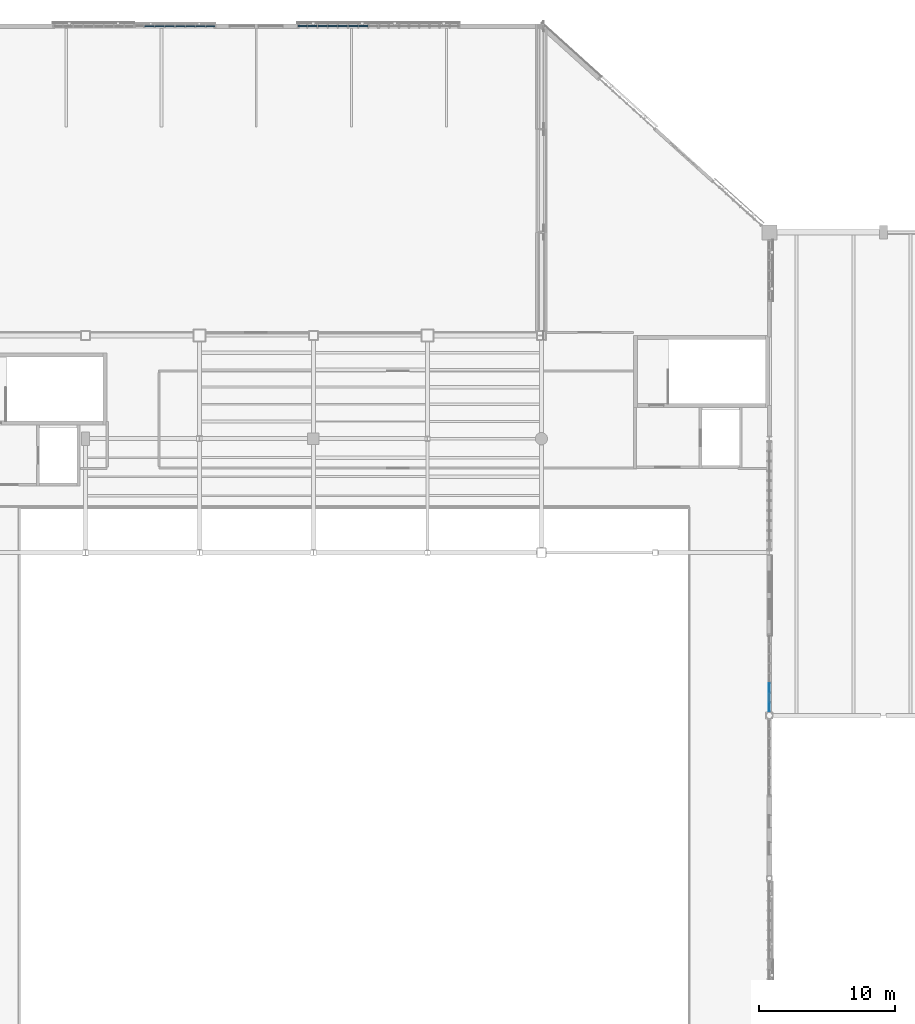
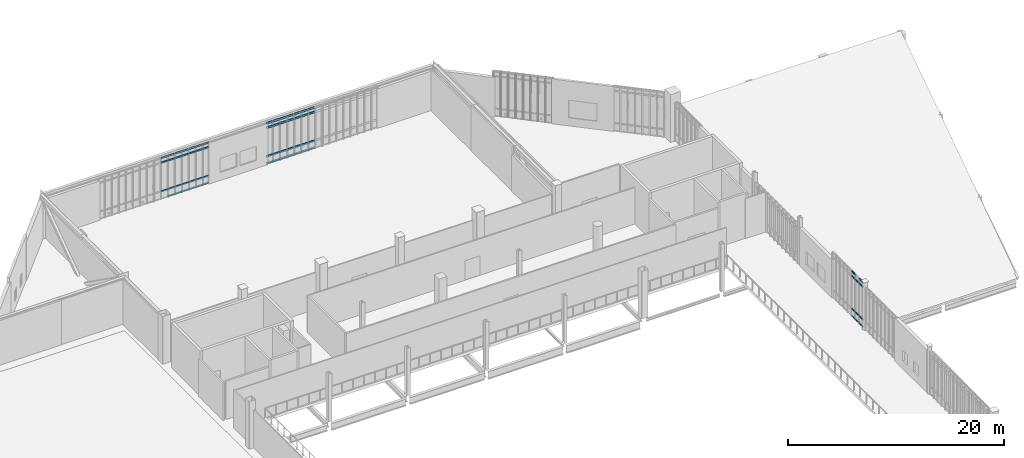
# One storey, part 57 of 135: 66 members, 3 elements without a shape of their own.
"""IFC4 building model written with IfcOpenShell, lengths in metres."""

from ifc_helpers import new_model, si_unit, direction, frame, origin, origin_2d, place, context, subcontext, project, spatial, rectangle, extrude, material, material_profile, profile_set, type_object, element, aggregate, save


model = new_model("IFC4")

# Units and contexts
model_context = context("Model", 3, precision=1e-05, world=origin(), true_north=direction((0.0, 1.0)))
body_context = subcontext(model_context, "Body", "Model", "MODEL_VIEW")
ifc_project = project(units=[si_unit("LENGTHUNIT", "METRE"), si_unit("AREAUNIT", "SQUARE_METRE"), si_unit("VOLUMEUNIT", "CUBIC_METRE"), si_unit("PLANEANGLEUNIT", "RADIAN"), si_unit("MASSUNIT", "GRAM", prefix="KILO")], contexts=[model_context])

# Site, building, storey
site_placement = place(None, origin())
site = spatial("IfcSite", under=ifc_project, at=site_placement, CompositionType="ELEMENT")
building_placement = place(site_placement, origin())
building = spatial("IfcBuilding", under=site, at=building_placement, Name="Larkvane Passage Sports Hall", CompositionType="ELEMENT")
storey_placement = place(building_placement, frame((0.0, 0.0, 16.800048828125)))
storey = spatial("IfcBuildingStorey", under=building, at=storey_placement, Name="L03", CompositionType="ELEMENT", Elevation=16.800048828125)

# Curtain wall, members
ifc_material_1 = material(Name="Thermally broken aluminium and low-E glazing", Category="aluminium")
curtain_wall_type_1 = type_object("IfcCurtainWallType", Name="CW-UNIT-COURT", PredefinedType="USERDEFINED", material=ifc_material_1)
curtain_wall_1_placement = place(storey_placement, origin())
curtain_wall_1 = element("IfcCurtainWall", 1, at=curtain_wall_1_placement, inside=storey, type_object=curtain_wall_type_1, Name="Curtain wall CW5-L03-144", ObjectType="UNITISED CURTAIN WALL", PredefinedType="USERDEFINED")
ifc_material_2 = material(Name="Anodised aluminium 6063-T6", Category="aluminium")
ifc_material_profile_1 = material_profile(ifc_material_2, rectangle(XDim=0.06494140625, YDim=0.139892578125, at=origin_2d()), Name="ALU-TRN-65x140")
ifc_profile_set_1 = profile_set([ifc_material_profile_1], Name="Anodised aluminium 6063-T6")
member_type_1 = type_object("IfcMemberType", Name="CW-TRN-65x140", PredefinedType="USERDEFINED", material=ifc_profile_set_1)
member_1_placement = place(storey_placement, frame((93.60009765625, 65.9736328125, 0.032470703125), z_axis=(0.0, -1.0, 0.0), x_axis=(1.0, 0.0, 0.0)))
member_1 = element("IfcMember", 2, at=member_1_placement, type_object=member_type_1, Name="CW-01 transom 6.1", ObjectType="TRANSOM", PredefinedType="USERDEFINED", context=body_context, shape_type="SweptSolid", body=[
    extrude(rectangle(XDim=0.06494140625, YDim=0.139892578125, at=origin_2d()), origin(), (0.0, 0.0, 1.0), 0.653564453125),
])
member_2_placement = place(storey_placement, frame((93.60009765625, 65.9736328125, 0.849853515625), z_axis=(0.0, -1.0, 0.0), x_axis=(1.0, 0.0, 0.0)))
member_2 = element("IfcMember", 3, at=member_2_placement, type_object=member_type_1, Name="CW-01 transom 6.2", ObjectType="TRANSOM", PredefinedType="USERDEFINED", context=body_context, shape_type="SweptSolid", body=[
    extrude(rectangle(XDim=0.06494140625, YDim=0.139892578125, at=origin_2d()), origin(), (0.0, 0.0, 1.0), 0.653564453125),
])
member_3_placement = place(storey_placement, frame((93.60009765625, 65.9736328125, 4.550048828125), z_axis=(0.0, -1.0, 0.0), x_axis=(1.0, 0.0, 0.0)))
member_3 = element("IfcMember", 4, at=member_3_placement, type_object=member_type_1, Name="CW-01 transom 6.3", ObjectType="TRANSOM", PredefinedType="USERDEFINED", context=body_context, shape_type="SweptSolid", body=[
    extrude(rectangle(XDim=0.06494140625, YDim=0.139892578125, at=origin_2d()), origin(), (0.0, 0.0, 1.0), 0.653564453125),
])
member_4_placement = place(storey_placement, frame((93.60009765625, 65.9736328125, 5.0673828125), z_axis=(0.0, -1.0, 0.0), x_axis=(1.0, 0.0, 0.0)))
member_4 = element("IfcMember", 5, at=member_4_placement, type_object=member_type_1, Name="CW-01 transom 6.4", ObjectType="TRANSOM", PredefinedType="USERDEFINED", context=body_context, shape_type="SweptSolid", body=[
    extrude(rectangle(XDim=0.06494140625, YDim=0.139892578125, at=origin_2d()), origin(), (0.0, 0.0, 1.0), 0.653564453125),
])
member_5_placement = place(storey_placement, frame((93.60009765625, 65.2548828125, 0.032470703125), z_axis=(0.0, -1.0, 0.0), x_axis=(1.0, 0.0, 0.0)))
member_5 = element("IfcMember", 6, at=member_5_placement, type_object=member_type_1, Name="CW-01 transom 7.1", ObjectType="TRANSOM", PredefinedType="USERDEFINED", context=body_context, shape_type="SweptSolid", body=[
    extrude(rectangle(XDim=0.06494140625, YDim=0.139892578125, at=origin_2d()), origin(), (0.0, 0.0, 1.0), 0.653564453125),
])
member_6_placement = place(storey_placement, frame((93.60009765625, 65.2548828125, 0.849853515625), z_axis=(0.0, -1.0, 0.0), x_axis=(1.0, 0.0, 0.0)))
member_6 = element("IfcMember", 7, at=member_6_placement, type_object=member_type_1, Name="CW-01 transom 7.2", ObjectType="TRANSOM", PredefinedType="USERDEFINED", context=body_context, shape_type="SweptSolid", body=[
    extrude(rectangle(XDim=0.06494140625, YDim=0.139892578125, at=origin_2d()), origin(), (0.0, 0.0, 1.0), 0.653564453125),
])
member_7_placement = place(storey_placement, frame((93.60009765625, 65.2548828125, 4.550048828125), z_axis=(0.0, -1.0, 0.0), x_axis=(1.0, 0.0, 0.0)))
member_7 = element("IfcMember", 8, at=member_7_placement, type_object=member_type_1, Name="CW-01 transom 7.3", ObjectType="TRANSOM", PredefinedType="USERDEFINED", context=body_context, shape_type="SweptSolid", body=[
    extrude(rectangle(XDim=0.06494140625, YDim=0.139892578125, at=origin_2d()), origin(), (0.0, 0.0, 1.0), 0.653564453125),
])
member_8_placement = place(storey_placement, frame((93.60009765625, 64.5361328125, 0.032470703125), z_axis=(0.0, -1.0, 0.0), x_axis=(1.0, 0.0, 0.0)))
member_8 = element("IfcMember", 9, at=member_8_placement, type_object=member_type_1, Name="CW-01 transom 8.1", ObjectType="TRANSOM", PredefinedType="USERDEFINED", context=body_context, shape_type="SweptSolid", body=[
    extrude(rectangle(XDim=0.06494140625, YDim=0.139892578125, at=origin_2d()), origin(), (0.0, 0.0, 1.0), 0.62109375),
])
member_9_placement = place(storey_placement, frame((93.60009765625, 64.5361328125, 0.849853515625), z_axis=(0.0, -1.0, 0.0), x_axis=(1.0, 0.0, 0.0)))
member_9 = element("IfcMember", 10, at=member_9_placement, type_object=member_type_1, Name="CW-01 transom 8.2", ObjectType="TRANSOM", PredefinedType="USERDEFINED", context=body_context, shape_type="SweptSolid", body=[
    extrude(rectangle(XDim=0.06494140625, YDim=0.139892578125, at=origin_2d()), origin(), (0.0, 0.0, 1.0), 0.62109375),
])
member_10_placement = place(storey_placement, frame((93.60009765625, 64.5361328125, 4.550048828125), z_axis=(0.0, -1.0, 0.0), x_axis=(1.0, 0.0, 0.0)))
member_10 = element("IfcMember", 11, at=member_10_placement, type_object=member_type_1, Name="CW-01 transom 8.3", ObjectType="TRANSOM", PredefinedType="USERDEFINED", context=body_context, shape_type="SweptSolid", body=[
    extrude(rectangle(XDim=0.06494140625, YDim=0.139892578125, at=origin_2d()), origin(), (0.0, 0.0, 1.0), 0.62109375),
])
member_11_placement = place(storey_placement, frame((93.60009765625, 64.5361328125, 5.0673828125), z_axis=(0.0, -1.0, 0.0), x_axis=(1.0, 0.0, 0.0)))
member_11 = element("IfcMember", 12, at=member_11_placement, type_object=member_type_1, Name="CW-01 transom 8.4", ObjectType="TRANSOM", PredefinedType="USERDEFINED", context=body_context, shape_type="SweptSolid", body=[
    extrude(rectangle(XDim=0.06494140625, YDim=0.139892578125, at=origin_2d()), origin(), (0.0, 0.0, 1.0), 0.62109375),
])
aggregate(curtain_wall_1, [member_1, member_2, member_3, member_4, member_5, member_6, member_7, member_8, member_9, member_10, member_11])

curtain_wall_type_2 = type_object("IfcCurtainWallType", Name="CW-UNIT-VEIL", PredefinedType="USERDEFINED", material=ifc_material_1)
curtain_wall_2_placement = place(storey_placement, origin())
curtain_wall_2 = element("IfcCurtainWall", 13, at=curtain_wall_2_placement, inside=storey, type_object=curtain_wall_type_2, Name="Curtain wall CW5-L03-137", ObjectType="UNITISED CURTAIN WALL", PredefinedType="USERDEFINED")
ifc_material_profile_2 = material_profile(ifc_material_2, rectangle(XDim=0.074951171875, YDim=0.18505859375, at=origin_2d()), Name="ALU-TRN-75x185")
ifc_profile_set_2 = profile_set([ifc_material_profile_2], Name="Anodised aluminium 6063-T6")
member_type_2 = type_object("IfcMemberType", Name="CW-TRN-75x185", PredefinedType="USERDEFINED", material=ifc_profile_set_2)
member_12_placement = place(storey_placement, frame((47.58740234375, 114.39990234375, 0.849853515625), z_axis=(1.0, 0.0, 0.0), x_axis=(0.0, 1.0, 0.0)))
member_12 = element("IfcMember", 14, at=member_12_placement, type_object=member_type_2, Name="CW-02 transom 2.2", ObjectType="TRANSOM", PredefinedType="USERDEFINED", context=body_context, shape_type="SweptSolid", body=[
    extrude(rectangle(XDim=0.074951171875, YDim=0.18505859375, at=origin_2d()), origin(), (0.0, 0.0, 1.0), 0.675048828125),
])
member_13_placement = place(storey_placement, frame((47.58740234375, 114.39990234375, 4.097900390625), z_axis=(1.0, 0.0, 0.0), x_axis=(0.0, 1.0, 0.0)))
member_13 = element("IfcMember", 15, at=member_13_placement, type_object=member_type_2, Name="CW-02 transom 2.3", ObjectType="TRANSOM", PredefinedType="USERDEFINED", context=body_context, shape_type="SweptSolid", body=[
    extrude(rectangle(XDim=0.074951171875, YDim=0.18505859375, at=origin_2d()), origin(), (0.0, 0.0, 1.0), 0.675048828125),
])
member_14_placement = place(storey_placement, frame((47.58740234375, 114.39990234375, 4.6103515625), z_axis=(1.0, 0.0, 0.0), x_axis=(0.0, 1.0, 0.0)))
member_14 = element("IfcMember", 16, at=member_14_placement, type_object=member_type_2, Name="CW-02 transom 2.4", ObjectType="TRANSOM", PredefinedType="USERDEFINED", context=body_context, shape_type="SweptSolid", body=[
    extrude(rectangle(XDim=0.074951171875, YDim=0.18505859375, at=origin_2d()), origin(), (0.0, 0.0, 1.0), 0.675048828125),
])
member_15_placement = place(storey_placement, frame((48.33740234375, 114.39990234375, 0.037353515625), z_axis=(1.0, 0.0, 0.0), x_axis=(0.0, 1.0, 0.0)))
member_15 = element("IfcMember", 17, at=member_15_placement, type_object=member_type_2, Name="CW-02 transom 3.1", ObjectType="TRANSOM", PredefinedType="USERDEFINED", context=body_context, shape_type="SweptSolid", body=[
    extrude(rectangle(XDim=0.074951171875, YDim=0.18505859375, at=origin_2d()), origin(), (0.0, 0.0, 1.0), 0.675048828125),
])
member_16_placement = place(storey_placement, frame((48.33740234375, 114.39990234375, 0.849853515625), z_axis=(1.0, 0.0, 0.0), x_axis=(0.0, 1.0, 0.0)))
member_16 = element("IfcMember", 18, at=member_16_placement, type_object=member_type_2, Name="CW-02 transom 3.2", ObjectType="TRANSOM", PredefinedType="USERDEFINED", context=body_context, shape_type="SweptSolid", body=[
    extrude(rectangle(XDim=0.074951171875, YDim=0.18505859375, at=origin_2d()), origin(), (0.0, 0.0, 1.0), 0.675048828125),
])
member_17_placement = place(storey_placement, frame((48.33740234375, 114.39990234375, 4.097900390625), z_axis=(1.0, 0.0, 0.0), x_axis=(0.0, 1.0, 0.0)))
member_17 = element("IfcMember", 19, at=member_17_placement, type_object=member_type_2, Name="CW-02 transom 3.3", ObjectType="TRANSOM", PredefinedType="USERDEFINED", context=body_context, shape_type="SweptSolid", body=[
    extrude(rectangle(XDim=0.074951171875, YDim=0.18505859375, at=origin_2d()), origin(), (0.0, 0.0, 1.0), 0.675048828125),
])
member_18_placement = place(storey_placement, frame((48.33740234375, 114.39990234375, 4.6103515625), z_axis=(1.0, 0.0, 0.0), x_axis=(0.0, 1.0, 0.0)))
member_18 = element("IfcMember", 20, at=member_18_placement, type_object=member_type_2, Name="CW-02 transom 3.4", ObjectType="TRANSOM", PredefinedType="USERDEFINED", context=body_context, shape_type="SweptSolid", body=[
    extrude(rectangle(XDim=0.074951171875, YDim=0.18505859375, at=origin_2d()), origin(), (0.0, 0.0, 1.0), 0.675048828125),
])
member_19_placement = place(storey_placement, frame((49.08740234375, 114.39990234375, 0.037353515625), z_axis=(1.0, 0.0, 0.0), x_axis=(0.0, 1.0, 0.0)))
member_19 = element("IfcMember", 21, at=member_19_placement, type_object=member_type_2, Name="CW-02 transom 4.1", ObjectType="TRANSOM", PredefinedType="USERDEFINED", context=body_context, shape_type="SweptSolid", body=[
    extrude(rectangle(XDim=0.074951171875, YDim=0.18505859375, at=origin_2d()), origin(), (0.0, 0.0, 1.0), 0.675048828125),
])
member_20_placement = place(storey_placement, frame((49.08740234375, 114.39990234375, 0.849853515625), z_axis=(1.0, 0.0, 0.0), x_axis=(0.0, 1.0, 0.0)))
member_20 = element("IfcMember", 22, at=member_20_placement, type_object=member_type_2, Name="CW-02 transom 4.2", ObjectType="TRANSOM", PredefinedType="USERDEFINED", context=body_context, shape_type="SweptSolid", body=[
    extrude(rectangle(XDim=0.074951171875, YDim=0.18505859375, at=origin_2d()), origin(), (0.0, 0.0, 1.0), 0.675048828125),
])
member_21_placement = place(storey_placement, frame((49.08740234375, 114.39990234375, 4.097900390625), z_axis=(1.0, 0.0, 0.0), x_axis=(0.0, 1.0, 0.0)))
member_21 = element("IfcMember", 23, at=member_21_placement, type_object=member_type_2, Name="CW-02 transom 4.3", ObjectType="TRANSOM", PredefinedType="USERDEFINED", context=body_context, shape_type="SweptSolid", body=[
    extrude(rectangle(XDim=0.074951171875, YDim=0.18505859375, at=origin_2d()), origin(), (0.0, 0.0, 1.0), 0.675048828125),
])
member_22_placement = place(storey_placement, frame((49.08740234375, 114.39990234375, 4.6103515625), z_axis=(1.0, 0.0, 0.0), x_axis=(0.0, 1.0, 0.0)))
member_22 = element("IfcMember", 24, at=member_22_placement, type_object=member_type_2, Name="CW-02 transom 4.4", ObjectType="TRANSOM", PredefinedType="USERDEFINED", context=body_context, shape_type="SweptSolid", body=[
    extrude(rectangle(XDim=0.074951171875, YDim=0.18505859375, at=origin_2d()), origin(), (0.0, 0.0, 1.0), 0.675048828125),
])
member_23_placement = place(storey_placement, frame((49.83740234375, 114.39990234375, 0.037353515625), z_axis=(1.0, 0.0, 0.0), x_axis=(0.0, 1.0, 0.0)))
member_23 = element("IfcMember", 25, at=member_23_placement, type_object=member_type_2, Name="CW-02 transom 5.1", ObjectType="TRANSOM", PredefinedType="USERDEFINED", context=body_context, shape_type="SweptSolid", body=[
    extrude(rectangle(XDim=0.074951171875, YDim=0.18505859375, at=origin_2d()), origin(), (0.0, 0.0, 1.0), 0.675048828125),
])
member_24_placement = place(storey_placement, frame((49.83740234375, 114.39990234375, 0.849853515625), z_axis=(1.0, 0.0, 0.0), x_axis=(0.0, 1.0, 0.0)))
member_24 = element("IfcMember", 26, at=member_24_placement, type_object=member_type_2, Name="CW-02 transom 5.2", ObjectType="TRANSOM", PredefinedType="USERDEFINED", context=body_context, shape_type="SweptSolid", body=[
    extrude(rectangle(XDim=0.074951171875, YDim=0.18505859375, at=origin_2d()), origin(), (0.0, 0.0, 1.0), 0.675048828125),
])
member_25_placement = place(storey_placement, frame((49.83740234375, 114.39990234375, 4.097900390625), z_axis=(1.0, 0.0, 0.0), x_axis=(0.0, 1.0, 0.0)))
member_25 = element("IfcMember", 27, at=member_25_placement, type_object=member_type_2, Name="CW-02 transom 5.3", ObjectType="TRANSOM", PredefinedType="USERDEFINED", context=body_context, shape_type="SweptSolid", body=[
    extrude(rectangle(XDim=0.074951171875, YDim=0.18505859375, at=origin_2d()), origin(), (0.0, 0.0, 1.0), 0.675048828125),
])
member_26_placement = place(storey_placement, frame((49.83740234375, 114.39990234375, 4.6103515625), z_axis=(1.0, 0.0, 0.0), x_axis=(0.0, 1.0, 0.0)))
member_26 = element("IfcMember", 28, at=member_26_placement, type_object=member_type_2, Name="CW-02 transom 5.4", ObjectType="TRANSOM", PredefinedType="USERDEFINED", context=body_context, shape_type="SweptSolid", body=[
    extrude(rectangle(XDim=0.074951171875, YDim=0.18505859375, at=origin_2d()), origin(), (0.0, 0.0, 1.0), 0.675048828125),
])
member_27_placement = place(storey_placement, frame((50.58740234375, 114.39990234375, 0.037353515625), z_axis=(1.0, 0.0, 0.0), x_axis=(0.0, 1.0, 0.0)))
member_27 = element("IfcMember", 29, at=member_27_placement, type_object=member_type_2, Name="CW-02 transom 6.1", ObjectType="TRANSOM", PredefinedType="USERDEFINED", context=body_context, shape_type="SweptSolid", body=[
    extrude(rectangle(XDim=0.074951171875, YDim=0.18505859375, at=origin_2d()), origin(), (0.0, 0.0, 1.0), 0.675048828125),
])
member_28_placement = place(storey_placement, frame((50.58740234375, 114.39990234375, 0.849853515625), z_axis=(1.0, 0.0, 0.0), x_axis=(0.0, 1.0, 0.0)))
member_28 = element("IfcMember", 30, at=member_28_placement, type_object=member_type_2, Name="CW-02 transom 6.2", ObjectType="TRANSOM", PredefinedType="USERDEFINED", context=body_context, shape_type="SweptSolid", body=[
    extrude(rectangle(XDim=0.074951171875, YDim=0.18505859375, at=origin_2d()), origin(), (0.0, 0.0, 1.0), 0.675048828125),
])
member_29_placement = place(storey_placement, frame((50.58740234375, 114.39990234375, 4.097900390625), z_axis=(1.0, 0.0, 0.0), x_axis=(0.0, 1.0, 0.0)))
member_29 = element("IfcMember", 31, at=member_29_placement, type_object=member_type_2, Name="CW-02 transom 6.3", ObjectType="TRANSOM", PredefinedType="USERDEFINED", context=body_context, shape_type="SweptSolid", body=[
    extrude(rectangle(XDim=0.074951171875, YDim=0.18505859375, at=origin_2d()), origin(), (0.0, 0.0, 1.0), 0.675048828125),
])
member_30_placement = place(storey_placement, frame((50.58740234375, 114.39990234375, 4.6103515625), z_axis=(1.0, 0.0, 0.0), x_axis=(0.0, 1.0, 0.0)))
member_30 = element("IfcMember", 32, at=member_30_placement, type_object=member_type_2, Name="CW-02 transom 6.4", ObjectType="TRANSOM", PredefinedType="USERDEFINED", context=body_context, shape_type="SweptSolid", body=[
    extrude(rectangle(XDim=0.074951171875, YDim=0.18505859375, at=origin_2d()), origin(), (0.0, 0.0, 1.0), 0.675048828125),
])
member_31_placement = place(storey_placement, frame((51.33740234375, 114.39990234375, 0.037353515625), z_axis=(1.0, 0.0, 0.0), x_axis=(0.0, 1.0, 0.0)))
member_31 = element("IfcMember", 33, at=member_31_placement, type_object=member_type_2, Name="CW-02 transom 7.1", ObjectType="TRANSOM", PredefinedType="USERDEFINED", context=body_context, shape_type="SweptSolid", body=[
    extrude(rectangle(XDim=0.074951171875, YDim=0.18505859375, at=origin_2d()), origin(), (0.0, 0.0, 1.0), 0.675048828125),
])
member_32_placement = place(storey_placement, frame((51.33740234375, 114.39990234375, 0.849853515625), z_axis=(1.0, 0.0, 0.0), x_axis=(0.0, 1.0, 0.0)))
member_32 = element("IfcMember", 34, at=member_32_placement, type_object=member_type_2, Name="CW-02 transom 7.2", ObjectType="TRANSOM", PredefinedType="USERDEFINED", context=body_context, shape_type="SweptSolid", body=[
    extrude(rectangle(XDim=0.074951171875, YDim=0.18505859375, at=origin_2d()), origin(), (0.0, 0.0, 1.0), 0.675048828125),
])
member_33_placement = place(storey_placement, frame((51.33740234375, 114.39990234375, 4.097900390625), z_axis=(1.0, 0.0, 0.0), x_axis=(0.0, 1.0, 0.0)))
member_33 = element("IfcMember", 35, at=member_33_placement, type_object=member_type_2, Name="CW-02 transom 7.3", ObjectType="TRANSOM", PredefinedType="USERDEFINED", context=body_context, shape_type="SweptSolid", body=[
    extrude(rectangle(XDim=0.074951171875, YDim=0.18505859375, at=origin_2d()), origin(), (0.0, 0.0, 1.0), 0.675048828125),
])
member_34_placement = place(storey_placement, frame((51.33740234375, 114.39990234375, 4.6103515625), z_axis=(1.0, 0.0, 0.0), x_axis=(0.0, 1.0, 0.0)))
member_34 = element("IfcMember", 36, at=member_34_placement, type_object=member_type_2, Name="CW-02 transom 7.4", ObjectType="TRANSOM", PredefinedType="USERDEFINED", context=body_context, shape_type="SweptSolid", body=[
    extrude(rectangle(XDim=0.074951171875, YDim=0.18505859375, at=origin_2d()), origin(), (0.0, 0.0, 1.0), 0.675048828125),
])
member_35_placement = place(storey_placement, frame((52.08740234375, 114.39990234375, 0.037353515625), z_axis=(1.0, 0.0, 0.0), x_axis=(0.0, 1.0, 0.0)))
member_35 = element("IfcMember", 37, at=member_35_placement, type_object=member_type_2, Name="CW-02 transom 8.1", ObjectType="TRANSOM", PredefinedType="USERDEFINED", context=body_context, shape_type="SweptSolid", body=[
    extrude(rectangle(XDim=0.074951171875, YDim=0.18505859375, at=origin_2d()), origin(), (0.0, 0.0, 1.0), 0.6376953125),
])
member_36_placement = place(storey_placement, frame((52.08740234375, 114.39990234375, 0.849853515625), z_axis=(1.0, 0.0, 0.0), x_axis=(0.0, 1.0, 0.0)))
member_36 = element("IfcMember", 38, at=member_36_placement, type_object=member_type_2, Name="CW-02 transom 8.2", ObjectType="TRANSOM", PredefinedType="USERDEFINED", context=body_context, shape_type="SweptSolid", body=[
    extrude(rectangle(XDim=0.074951171875, YDim=0.18505859375, at=origin_2d()), origin(), (0.0, 0.0, 1.0), 0.6376953125),
])
member_37_placement = place(storey_placement, frame((52.08740234375, 114.39990234375, 4.097900390625), z_axis=(1.0, 0.0, 0.0), x_axis=(0.0, 1.0, 0.0)))
member_37 = element("IfcMember", 39, at=member_37_placement, type_object=member_type_2, Name="CW-02 transom 8.3", ObjectType="TRANSOM", PredefinedType="USERDEFINED", context=body_context, shape_type="SweptSolid", body=[
    extrude(rectangle(XDim=0.074951171875, YDim=0.18505859375, at=origin_2d()), origin(), (0.0, 0.0, 1.0), 0.6376953125),
])
member_38_placement = place(storey_placement, frame((52.08740234375, 114.39990234375, 4.6103515625), z_axis=(1.0, 0.0, 0.0), x_axis=(0.0, 1.0, 0.0)))
member_38 = element("IfcMember", 40, at=member_38_placement, type_object=member_type_2, Name="CW-02 transom 8.4", ObjectType="TRANSOM", PredefinedType="USERDEFINED", context=body_context, shape_type="SweptSolid", body=[
    extrude(rectangle(XDim=0.074951171875, YDim=0.18505859375, at=origin_2d()), origin(), (0.0, 0.0, 1.0), 0.6376953125),
])
aggregate(curtain_wall_2, [member_12, member_13, member_14, member_15, member_16, member_17, member_18, member_19, member_20, member_21, member_22, member_23, member_24, member_25, member_26, member_27, member_28, member_29, member_30, member_31, member_32, member_33, member_34, member_35, member_36, member_37, member_38])

curtain_wall_type_3 = type_object("IfcCurtainWallType", Name="CW-STICK-FOYER", PredefinedType="USERDEFINED", material=ifc_material_1)
curtain_wall_3_placement = place(storey_placement, origin())
curtain_wall_3 = element("IfcCurtainWall", 41, at=curtain_wall_3_placement, inside=storey, type_object=curtain_wall_type_3, Name="Curtain wall CW5-L03-138", ObjectType="STICK CURTAIN WALL", PredefinedType="USERDEFINED")
ifc_material_profile_3 = material_profile(ifc_material_2, rectangle(XDim=0.090087890625, YDim=0.235107421875, at=origin_2d()), Name="ALU-TRN-90x235")
ifc_profile_set_3 = profile_set([ifc_material_profile_3], Name="Anodised aluminium 6063-T6")
member_type_3 = type_object("IfcMemberType", Name="CW-TRN-90x235", PredefinedType="USERDEFINED", material=ifc_profile_set_3)
member_39_placement = place(storey_placement, frame((58.889892578125, 114.39990234375, 0.044921875), z_axis=(1.0, 0.0, 0.0), x_axis=(0.0, 1.0, 0.0)))
member_39 = element("IfcMember", 42, at=member_39_placement, type_object=member_type_3, Name="CW-03 transom 1.1", ObjectType="TRANSOM", PredefinedType="USERDEFINED", context=body_context, shape_type="SweptSolid", body=[
    extrude(rectangle(XDim=0.090087890625, YDim=0.235107421875, at=origin_2d()), origin(), (0.0, 0.0, 1.0), 0.614990234375),
])
member_40_placement = place(storey_placement, frame((58.889892578125, 114.39990234375, 0.849853515625), z_axis=(1.0, 0.0, 0.0), x_axis=(0.0, 1.0, 0.0)))
member_40 = element("IfcMember", 43, at=member_40_placement, type_object=member_type_3, Name="CW-03 transom 1.2", ObjectType="TRANSOM", PredefinedType="USERDEFINED", context=body_context, shape_type="SweptSolid", body=[
    extrude(rectangle(XDim=0.090087890625, YDim=0.235107421875, at=origin_2d()), origin(), (0.0, 0.0, 1.0), 0.614990234375),
])
member_41_placement = place(storey_placement, frame((58.889892578125, 114.39990234375, 4.097900390625), z_axis=(1.0, 0.0, 0.0), x_axis=(0.0, 1.0, 0.0)))
member_41 = element("IfcMember", 44, at=member_41_placement, type_object=member_type_3, Name="CW-03 transom 1.3", ObjectType="TRANSOM", PredefinedType="USERDEFINED", context=body_context, shape_type="SweptSolid", body=[
    extrude(rectangle(XDim=0.090087890625, YDim=0.235107421875, at=origin_2d()), origin(), (0.0, 0.0, 1.0), 0.614990234375),
])
member_42_placement = place(storey_placement, frame((58.889892578125, 114.39990234375, 4.60302734375), z_axis=(1.0, 0.0, 0.0), x_axis=(0.0, 1.0, 0.0)))
member_42 = element("IfcMember", 45, at=member_42_placement, type_object=member_type_3, Name="CW-03 transom 1.4", ObjectType="TRANSOM", PredefinedType="USERDEFINED", context=body_context, shape_type="SweptSolid", body=[
    extrude(rectangle(XDim=0.090087890625, YDim=0.235107421875, at=origin_2d()), origin(), (0.0, 0.0, 1.0), 0.614990234375),
])
member_43_placement = place(storey_placement, frame((59.594970703125, 114.39990234375, 0.044921875), z_axis=(1.0, 0.0, 0.0), x_axis=(0.0, 1.0, 0.0)))
member_43 = element("IfcMember", 46, at=member_43_placement, type_object=member_type_3, Name="CW-03 transom 2.1", ObjectType="TRANSOM", PredefinedType="USERDEFINED", context=body_context, shape_type="SweptSolid", body=[
    extrude(rectangle(XDim=0.090087890625, YDim=0.235107421875, at=origin_2d()), origin(), (0.0, 0.0, 1.0), 0.659912109375),
])
member_44_placement = place(storey_placement, frame((59.594970703125, 114.39990234375, 0.849853515625), z_axis=(1.0, 0.0, 0.0), x_axis=(0.0, 1.0, 0.0)))
member_44 = element("IfcMember", 47, at=member_44_placement, type_object=member_type_3, Name="CW-03 transom 2.2", ObjectType="TRANSOM", PredefinedType="USERDEFINED", context=body_context, shape_type="SweptSolid", body=[
    extrude(rectangle(XDim=0.090087890625, YDim=0.235107421875, at=origin_2d()), origin(), (0.0, 0.0, 1.0), 0.659912109375),
])
member_45_placement = place(storey_placement, frame((59.594970703125, 114.39990234375, 4.097900390625), z_axis=(1.0, 0.0, 0.0), x_axis=(0.0, 1.0, 0.0)))
member_45 = element("IfcMember", 48, at=member_45_placement, type_object=member_type_3, Name="CW-03 transom 2.3", ObjectType="TRANSOM", PredefinedType="USERDEFINED", context=body_context, shape_type="SweptSolid", body=[
    extrude(rectangle(XDim=0.090087890625, YDim=0.235107421875, at=origin_2d()), origin(), (0.0, 0.0, 1.0), 0.659912109375),
])
member_46_placement = place(storey_placement, frame((59.594970703125, 114.39990234375, 4.60302734375), z_axis=(1.0, 0.0, 0.0), x_axis=(0.0, 1.0, 0.0)))
member_46 = element("IfcMember", 49, at=member_46_placement, type_object=member_type_3, Name="CW-03 transom 2.4", ObjectType="TRANSOM", PredefinedType="USERDEFINED", context=body_context, shape_type="SweptSolid", body=[
    extrude(rectangle(XDim=0.090087890625, YDim=0.235107421875, at=origin_2d()), origin(), (0.0, 0.0, 1.0), 0.659912109375),
])
member_47_placement = place(storey_placement, frame((60.344970703125, 114.39990234375, 0.044921875), z_axis=(1.0, 0.0, 0.0), x_axis=(0.0, 1.0, 0.0)))
member_47 = element("IfcMember", 50, at=member_47_placement, type_object=member_type_3, Name="CW-03 transom 3.1", ObjectType="TRANSOM", PredefinedType="USERDEFINED", context=body_context, shape_type="SweptSolid", body=[
    extrude(rectangle(XDim=0.090087890625, YDim=0.235107421875, at=origin_2d()), origin(), (0.0, 0.0, 1.0), 0.659912109375),
])
member_48_placement = place(storey_placement, frame((60.344970703125, 114.39990234375, 0.849853515625), z_axis=(1.0, 0.0, 0.0), x_axis=(0.0, 1.0, 0.0)))
member_48 = element("IfcMember", 51, at=member_48_placement, type_object=member_type_3, Name="CW-03 transom 3.2", ObjectType="TRANSOM", PredefinedType="USERDEFINED", context=body_context, shape_type="SweptSolid", body=[
    extrude(rectangle(XDim=0.090087890625, YDim=0.235107421875, at=origin_2d()), origin(), (0.0, 0.0, 1.0), 0.659912109375),
])
member_49_placement = place(storey_placement, frame((60.344970703125, 114.39990234375, 4.097900390625), z_axis=(1.0, 0.0, 0.0), x_axis=(0.0, 1.0, 0.0)))
member_49 = element("IfcMember", 52, at=member_49_placement, type_object=member_type_3, Name="CW-03 transom 3.3", ObjectType="TRANSOM", PredefinedType="USERDEFINED", context=body_context, shape_type="SweptSolid", body=[
    extrude(rectangle(XDim=0.090087890625, YDim=0.235107421875, at=origin_2d()), origin(), (0.0, 0.0, 1.0), 0.659912109375),
])
member_50_placement = place(storey_placement, frame((60.344970703125, 114.39990234375, 4.60302734375), z_axis=(1.0, 0.0, 0.0), x_axis=(0.0, 1.0, 0.0)))
member_50 = element("IfcMember", 53, at=member_50_placement, type_object=member_type_3, Name="CW-03 transom 3.4", ObjectType="TRANSOM", PredefinedType="USERDEFINED", context=body_context, shape_type="SweptSolid", body=[
    extrude(rectangle(XDim=0.090087890625, YDim=0.235107421875, at=origin_2d()), origin(), (0.0, 0.0, 1.0), 0.659912109375),
])
member_51_placement = place(storey_placement, frame((61.094970703125, 114.39990234375, 0.044921875), z_axis=(1.0, 0.0, 0.0), x_axis=(0.0, 1.0, 0.0)))
member_51 = element("IfcMember", 54, at=member_51_placement, type_object=member_type_3, Name="CW-03 transom 4.1", ObjectType="TRANSOM", PredefinedType="USERDEFINED", context=body_context, shape_type="SweptSolid", body=[
    extrude(rectangle(XDim=0.090087890625, YDim=0.235107421875, at=origin_2d()), origin(), (0.0, 0.0, 1.0), 0.659912109375),
])
member_52_placement = place(storey_placement, frame((61.094970703125, 114.39990234375, 0.849853515625), z_axis=(1.0, 0.0, 0.0), x_axis=(0.0, 1.0, 0.0)))
member_52 = element("IfcMember", 55, at=member_52_placement, type_object=member_type_3, Name="CW-03 transom 4.2", ObjectType="TRANSOM", PredefinedType="USERDEFINED", context=body_context, shape_type="SweptSolid", body=[
    extrude(rectangle(XDim=0.090087890625, YDim=0.235107421875, at=origin_2d()), origin(), (0.0, 0.0, 1.0), 0.659912109375),
])
member_53_placement = place(storey_placement, frame((61.094970703125, 114.39990234375, 4.097900390625), z_axis=(1.0, 0.0, 0.0), x_axis=(0.0, 1.0, 0.0)))
member_53 = element("IfcMember", 56, at=member_53_placement, type_object=member_type_3, Name="CW-03 transom 4.3", ObjectType="TRANSOM", PredefinedType="USERDEFINED", context=body_context, shape_type="SweptSolid", body=[
    extrude(rectangle(XDim=0.090087890625, YDim=0.235107421875, at=origin_2d()), origin(), (0.0, 0.0, 1.0), 0.659912109375),
])
member_54_placement = place(storey_placement, frame((61.094970703125, 114.39990234375, 4.60302734375), z_axis=(1.0, 0.0, 0.0), x_axis=(0.0, 1.0, 0.0)))
member_54 = element("IfcMember", 57, at=member_54_placement, type_object=member_type_3, Name="CW-03 transom 4.4", ObjectType="TRANSOM", PredefinedType="USERDEFINED", context=body_context, shape_type="SweptSolid", body=[
    extrude(rectangle(XDim=0.090087890625, YDim=0.235107421875, at=origin_2d()), origin(), (0.0, 0.0, 1.0), 0.659912109375),
])
member_55_placement = place(storey_placement, frame((61.844970703125, 114.39990234375, 0.044921875), z_axis=(1.0, 0.0, 0.0), x_axis=(0.0, 1.0, 0.0)))
member_55 = element("IfcMember", 58, at=member_55_placement, type_object=member_type_3, Name="CW-03 transom 5.1", ObjectType="TRANSOM", PredefinedType="USERDEFINED", context=body_context, shape_type="SweptSolid", body=[
    extrude(rectangle(XDim=0.090087890625, YDim=0.235107421875, at=origin_2d()), origin(), (0.0, 0.0, 1.0), 0.659912109375),
])
member_56_placement = place(storey_placement, frame((61.844970703125, 114.39990234375, 0.849853515625), z_axis=(1.0, 0.0, 0.0), x_axis=(0.0, 1.0, 0.0)))
member_56 = element("IfcMember", 59, at=member_56_placement, type_object=member_type_3, Name="CW-03 transom 5.2", ObjectType="TRANSOM", PredefinedType="USERDEFINED", context=body_context, shape_type="SweptSolid", body=[
    extrude(rectangle(XDim=0.090087890625, YDim=0.235107421875, at=origin_2d()), origin(), (0.0, 0.0, 1.0), 0.659912109375),
])
member_57_placement = place(storey_placement, frame((61.844970703125, 114.39990234375, 4.097900390625), z_axis=(1.0, 0.0, 0.0), x_axis=(0.0, 1.0, 0.0)))
member_57 = element("IfcMember", 60, at=member_57_placement, type_object=member_type_3, Name="CW-03 transom 5.3", ObjectType="TRANSOM", PredefinedType="USERDEFINED", context=body_context, shape_type="SweptSolid", body=[
    extrude(rectangle(XDim=0.090087890625, YDim=0.235107421875, at=origin_2d()), origin(), (0.0, 0.0, 1.0), 0.659912109375),
])
member_58_placement = place(storey_placement, frame((61.844970703125, 114.39990234375, 4.60302734375), z_axis=(1.0, 0.0, 0.0), x_axis=(0.0, 1.0, 0.0)))
member_58 = element("IfcMember", 61, at=member_58_placement, type_object=member_type_3, Name="CW-03 transom 5.4", ObjectType="TRANSOM", PredefinedType="USERDEFINED", context=body_context, shape_type="SweptSolid", body=[
    extrude(rectangle(XDim=0.090087890625, YDim=0.235107421875, at=origin_2d()), origin(), (0.0, 0.0, 1.0), 0.659912109375),
])
member_59_placement = place(storey_placement, frame((62.594970703125, 114.39990234375, 0.044921875), z_axis=(1.0, 0.0, 0.0), x_axis=(0.0, 1.0, 0.0)))
member_59 = element("IfcMember", 62, at=member_59_placement, type_object=member_type_3, Name="CW-03 transom 6.1", ObjectType="TRANSOM", PredefinedType="USERDEFINED", context=body_context, shape_type="SweptSolid", body=[
    extrude(rectangle(XDim=0.090087890625, YDim=0.235107421875, at=origin_2d()), origin(), (0.0, 0.0, 1.0), 0.659912109375),
])
member_60_placement = place(storey_placement, frame((62.594970703125, 114.39990234375, 0.849853515625), z_axis=(1.0, 0.0, 0.0), x_axis=(0.0, 1.0, 0.0)))
member_60 = element("IfcMember", 63, at=member_60_placement, type_object=member_type_3, Name="CW-03 transom 6.2", ObjectType="TRANSOM", PredefinedType="USERDEFINED", context=body_context, shape_type="SweptSolid", body=[
    extrude(rectangle(XDim=0.090087890625, YDim=0.235107421875, at=origin_2d()), origin(), (0.0, 0.0, 1.0), 0.659912109375),
])
member_61_placement = place(storey_placement, frame((62.594970703125, 114.39990234375, 4.097900390625), z_axis=(1.0, 0.0, 0.0), x_axis=(0.0, 1.0, 0.0)))
member_61 = element("IfcMember", 64, at=member_61_placement, type_object=member_type_3, Name="CW-03 transom 6.3", ObjectType="TRANSOM", PredefinedType="USERDEFINED", context=body_context, shape_type="SweptSolid", body=[
    extrude(rectangle(XDim=0.090087890625, YDim=0.235107421875, at=origin_2d()), origin(), (0.0, 0.0, 1.0), 0.659912109375),
])
member_62_placement = place(storey_placement, frame((62.594970703125, 114.39990234375, 4.60302734375), z_axis=(1.0, 0.0, 0.0), x_axis=(0.0, 1.0, 0.0)))
member_62 = element("IfcMember", 65, at=member_62_placement, type_object=member_type_3, Name="CW-03 transom 6.4", ObjectType="TRANSOM", PredefinedType="USERDEFINED", context=body_context, shape_type="SweptSolid", body=[
    extrude(rectangle(XDim=0.090087890625, YDim=0.235107421875, at=origin_2d()), origin(), (0.0, 0.0, 1.0), 0.659912109375),
])
member_63_placement = place(storey_placement, frame((63.344970703125, 114.39990234375, 0.044921875), z_axis=(1.0, 0.0, 0.0), x_axis=(0.0, 1.0, 0.0)))
member_63 = element("IfcMember", 66, at=member_63_placement, type_object=member_type_3, Name="CW-03 transom 7.1", ObjectType="TRANSOM", PredefinedType="USERDEFINED", context=body_context, shape_type="SweptSolid", body=[
    extrude(rectangle(XDim=0.090087890625, YDim=0.235107421875, at=origin_2d()), origin(), (0.0, 0.0, 1.0), 0.659912109375),
])
member_64_placement = place(storey_placement, frame((63.344970703125, 114.39990234375, 0.849853515625), z_axis=(1.0, 0.0, 0.0), x_axis=(0.0, 1.0, 0.0)))
member_64 = element("IfcMember", 67, at=member_64_placement, type_object=member_type_3, Name="CW-03 transom 7.2", ObjectType="TRANSOM", PredefinedType="USERDEFINED", context=body_context, shape_type="SweptSolid", body=[
    extrude(rectangle(XDim=0.090087890625, YDim=0.235107421875, at=origin_2d()), origin(), (0.0, 0.0, 1.0), 0.659912109375),
])
member_65_placement = place(storey_placement, frame((63.344970703125, 114.39990234375, 4.097900390625), z_axis=(1.0, 0.0, 0.0), x_axis=(0.0, 1.0, 0.0)))
member_65 = element("IfcMember", 68, at=member_65_placement, type_object=member_type_3, Name="CW-03 transom 7.3", ObjectType="TRANSOM", PredefinedType="USERDEFINED", context=body_context, shape_type="SweptSolid", body=[
    extrude(rectangle(XDim=0.090087890625, YDim=0.235107421875, at=origin_2d()), origin(), (0.0, 0.0, 1.0), 0.659912109375),
])
member_66_placement = place(storey_placement, frame((63.344970703125, 114.39990234375, 4.60302734375), z_axis=(1.0, 0.0, 0.0), x_axis=(0.0, 1.0, 0.0)))
member_66 = element("IfcMember", 69, at=member_66_placement, type_object=member_type_3, Name="CW-03 transom 7.4", ObjectType="TRANSOM", PredefinedType="USERDEFINED", context=body_context, shape_type="SweptSolid", body=[
    extrude(rectangle(XDim=0.090087890625, YDim=0.235107421875, at=origin_2d()), origin(), (0.0, 0.0, 1.0), 0.659912109375),
])
aggregate(curtain_wall_3, [member_39, member_40, member_41, member_42, member_43, member_44, member_45, member_46, member_47, member_48, member_49, member_50, member_51, member_52, member_53, member_54, member_55, member_56, member_57, member_58, member_59, member_60, member_61, member_62, member_63, member_64, member_65, member_66])

save(model, "model.ifc")
